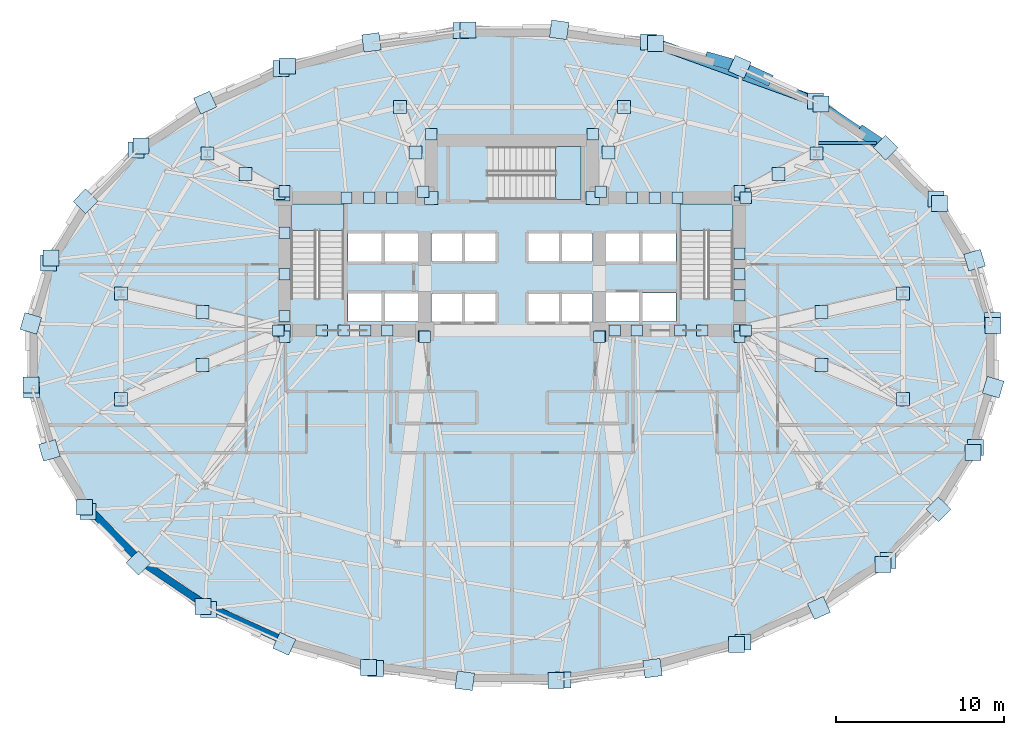
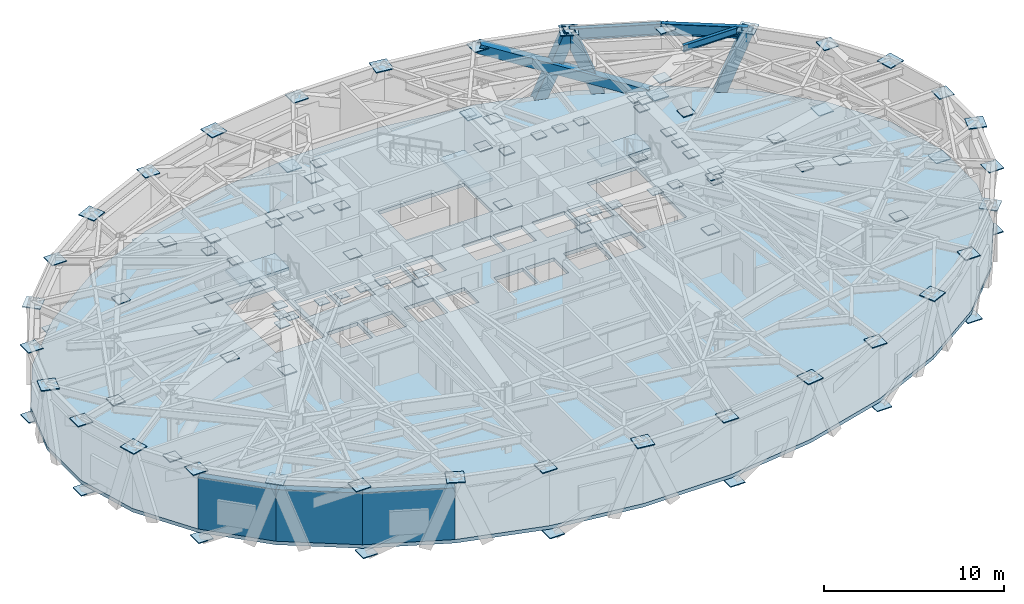
# One storey, part 6 of 14: 109 plates, 4 members, 4 slabs, 3 beams, 3 walls, 3 elements without a shape of their own.
"""IFC4 building model written with IfcOpenShell, lengths in metres."""

from ifc_helpers import new_model, si_unit, direction, frame, frame_2d, origin, origin_2d, place, context, subcontext, project, spatial, polyline, rectangle, hollow_rectangle, i_section, outline, extrude, material, layer, layer_set, material_profile, profile_set, type_object, element, aggregate, save


model = new_model("IFC4")

# Units and contexts
model_context = context("Model", 3, precision=1e-05, world=origin(), true_north=direction((0.0, 1.0)))
body_context = subcontext(model_context, "Body", "Model", "MODEL_VIEW")
ifc_project = project(units=[si_unit("LENGTHUNIT", "METRE"), si_unit("AREAUNIT", "SQUARE_METRE"), si_unit("VOLUMEUNIT", "CUBIC_METRE"), si_unit("PLANEANGLEUNIT", "RADIAN"), si_unit("MASSUNIT", "GRAM", prefix="KILO")], contexts=[model_context])

# Site, building, storey
site_placement = place(None, origin())
site = spatial("IfcSite", under=ifc_project, at=site_placement, CompositionType="ELEMENT")
building_placement = place(site_placement, origin())
building = spatial("IfcBuilding", under=site, at=building_placement, Name="Keldmark Tower", CompositionType="ELEMENT")
storey_placement = place(building_placement, frame((0.0, 0.0, 77.39990234375)))
storey = spatial("IfcBuildingStorey", under=building, at=storey_placement, Name="L20", CompositionType="ELEMENT", Elevation=77.39990234375)

# Member
ifc_material_1 = material(Name="Steel ASTM A572 Grade 50", Category="steel")
ifc_material_profile_1 = material_profile(ifc_material_1, hollow_rectangle(XDim=0.60009765625, YDim=0.60009765625, WallThickness=0.034912109375, at=origin_2d()), Name="BOX600X600X35")
ifc_profile_set_1 = profile_set([ifc_material_profile_1], Name="Steel ASTM A572 Grade 50")
member_type_1 = type_object("IfcMemberType", Name="Belt Truss Diagonal Brace BOX600", PredefinedType="BRACE", material=ifc_profile_set_1)
member_1_placement = place(storey_placement, frame((18.044677734375, 15.1123046875, -0.539794921875), z_axis=(-0.858472983552, 0.31040781208, 0.408253752845), x_axis=(-0.34003563135, -0.940412552773, 0.0)))
element("IfcMember", 1, at=member_1_placement, inside=storey, type_object=member_type_1, Name="L20 Perimeter Belt Truss Brace 03", PredefinedType="BRACE", context=body_context, shape_type="SweptSolid", body=[
    extrude(hollow_rectangle(XDim=0.60009765625, YDim=0.60009765625, WallThickness=0.034912109375, at=origin_2d()), origin(), (0.0, 0.0, 1.0), 11.071044921875),
])

# Beam
ifc_material_2 = material(Name="Steel ASTM A992 Grade 50", Category="steel")
ifc_material_profile_2 = material_profile(ifc_material_2, i_section(OverallWidth=0.19091796875, OverallDepth=0.45703125, WebThickness=0.009033203125, FlangeThickness=0.014404296875, at=origin_2d()), Name="W18X50")
ifc_profile_set_2 = profile_set([ifc_material_profile_2], Name="Steel ASTM A992 Grade 50")
beam_type_1 = type_object("IfcBeamType", Name="Composite Floor Joist W18X50", PredefinedType="JOIST", material=ifc_profile_set_2)
beam_1_placement = place(storey_placement, frame((18.228515625, 12.6201171875, 4.051513671875), z_axis=(1.0, 0.0, 0.0), x_axis=(0.0, 1.0, 0.0)))
element("IfcBeam", 2, at=beam_1_placement, inside=storey, type_object=beam_type_1, Name="L20 Composite Floor Joist J13", PredefinedType="JOIST", context=body_context, shape_type="SweptSolid", body=[
    extrude(i_section(OverallWidth=0.19091796875, OverallDepth=0.45703125, WebThickness=0.009033203125, FlangeThickness=0.014404296875, at=origin_2d()), origin(), (0.0, 0.0, 1.0), 3.43896484375),
])

# Members
ifc_material_3 = material(Name="Steel ASTM A572 Grade 50", Category="steel")
ifc_material_profile_3 = material_profile(ifc_material_3, hollow_rectangle(XDim=0.699951171875, YDim=0.699951171875, WallThickness=0.054931640625, at=origin_2d()), Name="BOX700X700X55")
ifc_profile_set_3 = profile_set([ifc_material_profile_3], Name="Steel ASTM A572 Grade 50")
member_type_2 = type_object("IfcMemberType", Name="Diagrid Zone 1 Brace BOX700X700X55", PredefinedType="BRACE", material=ifc_profile_set_3)
member_2_placement = place(storey_placement, frame((20.885498046875, 13.233642578125, -0.31982421875), z_axis=(0.279608553721, -0.189329512343, 0.941261596179), x_axis=(0.560680193358, 0.828032439446, 0.0)))
element("IfcMember", 3, at=member_2_placement, inside=storey, type_object=member_type_2, Name="L20 Perimeter Diagrid Brace 02B", PredefinedType="BRACE", context=body_context, shape_type="SweptSolid", body=[
    extrude(hollow_rectangle(XDim=0.699951171875, YDim=0.699951171875, WallThickness=0.054931640625, at=origin_2d()), origin(), (0.0, 0.0, 1.0), 4.759521484375),
])
member_3_placement = place(storey_placement, frame((15.102783203125, 16.443115234375, -0.31982421875), z_axis=(-0.32612174834, 0.147566401964, 0.933739129667), x_axis=(-0.412249348078, -0.911071059253, 0.0)))
element("IfcMember", 4, at=member_3_placement, inside=storey, type_object=member_type_2, Name="L20 Perimeter Diagrid Brace 03A", PredefinedType="BRACE", context=body_context, shape_type="SweptSolid", body=[
    extrude(hollow_rectangle(XDim=0.699951171875, YDim=0.699951171875, WallThickness=0.054931640625, at=origin_2d()), origin(), (0.0, 0.0, 1.0), 4.7978515625),
])
member_4_placement = place(storey_placement, frame((11.80908203125, 17.632080078125, -0.31982421875), z_axis=(0.359975574224, -0.100936706224, 0.927485507865), x_axis=(0.269985949358, 0.962864262058, 0.0)))
element("IfcMember", 5, at=member_4_placement, inside=storey, type_object=member_type_2, Name="L20 Perimeter Diagrid Brace 03B", PredefinedType="BRACE", context=body_context, shape_type="SweptSolid", body=[
    extrude(hollow_rectangle(XDim=0.699951171875, YDim=0.699951171875, WallThickness=0.054931640625, at=origin_2d()), origin(), (0.0, 0.0, 1.0), 4.830322265625),
])

# Beams
ifc_material_4 = material(Name="Steel ASTM A992 Grade 50", Category="steel")
ifc_material_profile_4 = material_profile(ifc_material_4, i_section(OverallWidth=0.26806640625, OverallDepth=0.77001953125, WebThickness=0.015625, FlangeThickness=0.025390625, at=origin_2d()), Name="W30X132")
ifc_profile_set_4 = profile_set([ifc_material_profile_4], Name="Steel ASTM A992 Grade 50")
beam_type_2 = type_object("IfcBeamType", Name="Spandrel Ring Beam W30X132", PredefinedType="SPANDREL", material=ifc_profile_set_4)
beam_2_placement = place(storey_placement, frame((22.2626953125, 12.37060546875, 3.89501953125), z_axis=(-0.82804003003, 0.560668983151, 0.0), x_axis=(-0.560668983151, -0.82804003003, 0.0)))
element("IfcBeam", 6, at=beam_2_placement, inside=storey, type_object=beam_type_2, Name="L20 Perimeter Spandrel Ring Beam SRB-04", PredefinedType="SPANDREL", context=body_context, shape_type="SweptSolid", body=[
    extrude(i_section(OverallWidth=0.26806640625, OverallDepth=0.77001953125, WebThickness=0.015625, FlangeThickness=0.025390625, at=origin_2d()), origin(), (0.0, 0.0, 1.0), 4.8212890625),
])
beam_3_placement = place(storey_placement, frame((18.2705078125, 15.07373046875, 3.89501953125), z_axis=(-0.911096907159, 0.412192219439, 0.0), x_axis=(-0.412192219439, -0.911096907159, 0.0)))
element("IfcBeam", 7, at=beam_3_placement, inside=storey, type_object=beam_type_2, Name="L20 Perimeter Spandrel Ring Beam SRB-05", PredefinedType="SPANDREL", context=body_context, shape_type="SweptSolid", body=[
    extrude(i_section(OverallWidth=0.26806640625, OverallDepth=0.77001953125, WebThickness=0.015625, FlangeThickness=0.025390625, at=origin_2d()), origin(), (0.0, 0.0, 1.0), 5.15234375),
])

# Plates
ifc_material_5 = material(Name="Steel ASTM A572 Grade 50", Category="steel")
ifc_layer_1 = layer(ifc_material_5, 0.06005859375)
ifc_layer_set_1 = layer_set([ifc_layer_1], Name="Steel ASTM A572 Grade 50")
plate_type_1 = type_object("IfcPlateType", Name="Belt Truss Kink Node Assembly KN01 60 mm", PredefinedType="USERDEFINED", material=ifc_layer_set_1)
for number, where, z_axis, x_axis, name in (
    (8, (28.5576171875, 2.055419921875, -0.56982421875), (0.0, 0.0, 1.0), (1.0, 0.0, 0.0), "L20 Belt Truss Kink Node 01A"),
    (9, (25.42822265625, 9.033447265625, 3.949951171875), (0.0, 0.0, 1.0), (1.0, 0.0, 0.0), "L20 Belt Truss Kink Node 01B"),
    (10, (25.220947265625, 9.291015625, -0.56982421875), (0.0, 0.0, 1.0), (1.0, 0.0, 0.0), "L20 Belt Truss Kink Node 02A"),
    (11, (18.3837890625, 14.927490234375, 3.949951171875), (0.0, 0.0, 1.0), (1.0, 0.0, 0.0), "L20 Belt Truss Kink Node 02B"),
    (12, (18.044677734375, 15.1123046875, -0.56982421875), (0.0, 0.0, 1.0), (1.0, 0.0, 0.0), "L20 Belt Truss Kink Node 03A"),
    (13, (8.54052734375, 18.548828125, 3.949951171875), (0.0, 0.0, 1.0), (1.0, 0.0, 0.0), "L20 Belt Truss Kink Node 03B"),
    (14, (8.121337890625, 18.6328125, -0.56982421875), (0.0, 0.0, 1.0), (1.0, 0.0, 0.0), "L20 Belt Truss Kink Node 04A"),
    (15, (-2.60302734375, 19.346435546875, 3.949951171875), (0.0, 0.0, 1.0), (1.0, 0.0, 0.0), "L20 Belt Truss Kink Node 04B"),
    (16, (-3.03857421875, 19.316650390625, -0.56982421875), (0.0, 0.0, 1.0), (1.0, 0.0, 0.0), "L20 Belt Truss Kink Node 05A"),
    (17, (-13.35009765625, 17.198486328125, 3.949951171875), (0.0, 0.0, 1.0), (1.0, 0.0, 0.0), "L20 Belt Truss Kink Node 05B"),
    (18, (-13.735595703125, 17.0595703125, -0.56982421875), (0.0, 0.0, 1.0), (1.0, 0.0, 0.0), "L20 Belt Truss Kink Node 06A"),
    (19, (-22.06494140625, 12.432373046875, 3.949951171875), (0.0, 0.0, 1.0), (1.0, 0.0, 0.0), "L20 Belt Truss Kink Node 06B"),
    (20, (-22.341796875, 12.20556640625, -0.56982421875), (0.0, 0.0, 1.0), (1.0, 0.0, 0.0), "L20 Belt Truss Kink Node 07A"),
    (21, (-27.420654296875, 5.773681640625, 3.949951171875), (0.0, 0.0, 1.0), (1.0, 0.0, 0.0), "L20 Belt Truss Kink Node 07B"),
    (22, (-27.546630859375, 5.4931640625, -0.56982421875), (0.0, 0.0, 1.0), (1.0, 0.0, 0.0), "L20 Belt Truss Kink Node 08A"),
    (23, (-28.6015625, -1.764404296875, 3.949951171875), (0.0, 0.0, 1.0), (1.0, 0.0, 0.0), "L20 Belt Truss Kink Node 08B"),
    (24, (-28.5576171875, -2.055419921875, -0.56982421875), (0.0, 0.0, 1.0), (1.0, 0.0, 0.0), "L20 Belt Truss Kink Node 09A"),
    (25, (-25.42822265625, -9.033447265625, 3.949951171875), (0.0, 0.0, 1.0), (1.0, 0.0, 0.0), "L20 Belt Truss Kink Node 09B"),
    (26, (-25.220947265625, -9.291015625, -0.56982421875), (0.0, 0.0, 1.0), (1.0, 0.0, 0.0), "L20 Belt Truss Kink Node 10A"),
    (27, (-18.3837890625, -14.927490234375, 3.949951171875), (0.0, 0.0, 1.0), (1.0, 0.0, 0.0), "L20 Belt Truss Kink Node 10B"),
    (28, (-18.044677734375, -15.1123046875, -0.56982421875), (0.0, 0.0, 1.0), (1.0, 0.0, 0.0), "L20 Belt Truss Kink Node 11A"),
    (29, (-8.54052734375, -18.548828125, 3.949951171875), (0.0, 0.0, 1.0), (1.0, 0.0, 0.0), "L20 Belt Truss Kink Node 11B"),
    (30, (-8.121337890625, -18.6328125, -0.56982421875), (0.0, 0.0, 1.0), (1.0, 0.0, 0.0), "L20 Belt Truss Kink Node 12A"),
    (31, (2.60302734375, -19.346435546875, 3.949951171875), (0.0, 0.0, 1.0), (1.0, 0.0, 0.0), "L20 Belt Truss Kink Node 12B"),
    (32, (3.03857421875, -19.316650390625, -0.56982421875), (0.0, 0.0, 1.0), (1.0, 0.0, 0.0), "L20 Belt Truss Kink Node 13A"),
    (33, (13.35009765625, -17.198486328125, 3.949951171875), (0.0, 0.0, 1.0), (1.0, 0.0, 0.0), "L20 Belt Truss Kink Node 13B"),
    (34, (13.735595703125, -17.0595703125, -0.56982421875), (0.0, 0.0, 1.0), (1.0, 0.0, 0.0), "L20 Belt Truss Kink Node 14A"),
    (35, (22.06494140625, -12.432373046875, 3.949951171875), (0.0, 0.0, 1.0), (1.0, 0.0, 0.0), "L20 Belt Truss Kink Node 14B"),
    (36, (22.341796875, -12.20556640625, -0.56982421875), (0.0, 0.0, 1.0), (1.0, 0.0, 0.0), "L20 Belt Truss Kink Node 15A"),
    (37, (27.420654296875, -5.773681640625, 3.949951171875), (0.0, 0.0, 1.0), (1.0, 0.0, 0.0), "L20 Belt Truss Kink Node 15B"),
    (38, (27.546630859375, -5.4931640625, -0.56982421875), (0.0, 0.0, 1.0), (1.0, 0.0, 0.0), "L20 Belt Truss Kink Node 16A"),
    (39, (28.6015625, 1.764404296875, 3.949951171875), (0.0, 0.0, 1.0), (1.0, 0.0, 0.0), "L20 Belt Truss Kink Node 16B"),
):
    element("IfcPlate", number, at=place(storey_placement, frame(where, z_axis=z_axis, x_axis=x_axis)), inside=storey, type_object=plate_type_1, Name=name, ObjectType="CAP PLATE", PredefinedType="USERDEFINED", context=body_context, shape_type="SweptSolid", body=[
        extrude(rectangle(XDim=0.949951171875, YDim=0.949951171875, at=origin_2d()), origin(), (0.0, 0.0, 1.0), 0.06005859375),
    ])
for number, where, z_axis, x_axis, name in (
    (40, (-13.550048828125, 1.449951171875, 0.1201171875), (0.0, 0.0, 1.0), (1.0, 0.0, 0.0), "L20 Outrigger Node Cap 01A0"),
    (41, (-18.402099609375, 2.563720703125, 3.949951171875), (0.0, 0.0, 1.0), (1.0, 0.0, 0.0), "L20 Outrigger Node Cap 01A1"),
    (42, (-23.25390625, 3.67724609375, 0.1201171875), (0.0, 0.0, 1.0), (1.0, 0.0, 0.0), "L20 Outrigger Node Cap 01B0"),
    (43, (-18.402099609375, -0.58154296875, 3.949951171875), (0.0, 0.0, 1.0), (1.0, 0.0, 0.0), "L20 Outrigger Node Cap 02A1"),
    (44, (-23.25390625, -2.61328125, 0.1201171875), (0.0, 0.0, 1.0), (1.0, 0.0, 0.0), "L20 Outrigger Node Cap 02B0"),
    (45, (-13.60009765625, 9.550048828125, 0.1201171875), (0.0, 0.0, 1.0), (1.0, 0.0, 0.0), "L20 Outrigger Node Cap 03A0"),
    (46, (-15.848876953125, 10.77880859375, 3.949951171875), (0.0, 0.0, 1.0), (1.0, 0.0, 0.0), "L20 Outrigger Node Cap 03A1"),
    (47, (-18.09765625, 12.00732421875, 0.1201171875), (0.0, 0.0, 1.0), (1.0, 0.0, 0.0), "L20 Outrigger Node Cap 03B0"),
    (48, (-4.800048828125, 9.35009765625, 0.1201171875), (0.0, 0.0, 1.0), (1.0, 0.0, 0.0), "L20 Outrigger Node Cap 04A0"),
    (49, (-5.732421875, 12.054931640625, 3.949951171875), (0.0, 0.0, 1.0), (1.0, 0.0, 0.0), "L20 Outrigger Node Cap 04A1"),
    (50, (-6.6650390625, 14.760009765625, 0.1201171875), (0.0, 0.0, 1.0), (1.0, 0.0, 0.0), "L20 Outrigger Node Cap 04B0"),
    (51, (13.550048828125, 1.449951171875, 0.1201171875), (0.0, 0.0, 1.0), (1.0, 0.0, 0.0), "L20 Outrigger Node Cap 05A0"),
    (52, (18.402099609375, 2.563720703125, 3.949951171875), (0.0, 0.0, 1.0), (1.0, 0.0, 0.0), "L20 Outrigger Node Cap 05A1"),
    (53, (23.25390625, 3.67724609375, 0.1201171875), (0.0, 0.0, 1.0), (1.0, 0.0, 0.0), "L20 Outrigger Node Cap 05B0"),
    (54, (18.402099609375, -0.58154296875, 3.949951171875), (0.0, 0.0, 1.0), (1.0, 0.0, 0.0), "L20 Outrigger Node Cap 06A1"),
    (55, (23.25390625, -2.61328125, 0.1201171875), (0.0, 0.0, 1.0), (1.0, 0.0, 0.0), "L20 Outrigger Node Cap 06B0"),
    (56, (13.60009765625, 9.550048828125, 0.1201171875), (0.0, 0.0, 1.0), (1.0, 0.0, 0.0), "L20 Outrigger Node Cap 07A0"),
    (57, (15.848876953125, 10.77880859375, 3.949951171875), (0.0, 0.0, 1.0), (1.0, 0.0, 0.0), "L20 Outrigger Node Cap 07A1"),
    (58, (18.09765625, 12.00732421875, 0.1201171875), (0.0, 0.0, 1.0), (1.0, 0.0, 0.0), "L20 Outrigger Node Cap 07B0"),
    (59, (4.800048828125, 9.35009765625, 0.1201171875), (0.0, 0.0, 1.0), (1.0, 0.0, 0.0), "L20 Outrigger Node Cap 08A0"),
    (60, (5.732421875, 12.054931640625, 3.949951171875), (0.0, 0.0, 1.0), (1.0, 0.0, 0.0), "L20 Outrigger Node Cap 08A1"),
    (61, (6.6650390625, 14.760009765625, 0.1201171875), (0.0, 0.0, 1.0), (1.0, 0.0, 0.0), "L20 Outrigger Node Cap 08B0"),
):
    element("IfcPlate", number, at=place(storey_placement, frame(where, z_axis=z_axis, x_axis=x_axis)), inside=storey, type_object=plate_type_1, Name=name, ObjectType="CAP PLATE", PredefinedType="USERDEFINED", context=body_context, shape_type="SweptSolid", body=[
        extrude(rectangle(XDim=0.780029296875, YDim=0.780029296875, at=origin_2d()), origin(), (0.0, 0.0, 1.0), 0.06005859375),
    ])
for number, where, z_axis, x_axis, name in (
    (62, (13.87255859375, 1.46435546875, 3.3525390625), (0.0, 0.0, 1.0), (1.0, 0.0, 0.0), "L20 Core Wall Cast-In Embed Plate 518"),
    (63, (13.843505859375, 9.58837890625, 3.3525390625), (0.0, 0.0, 1.0), (1.0, 0.0, 0.0), "L20 Core Wall Cast-In Embed Plate 519"),
    (64, (5.2744140625, 9.719970703125, 3.3525390625), (0.0, 0.0, 1.0), (1.0, 0.0, 0.0), "L20 Core Wall Cast-In Embed Plate 520"),
    (65, (-5.2744140625, 9.719970703125, 3.3525390625), (0.0, 0.0, 1.0), (1.0, 0.0, 0.0), "L20 Core Wall Cast-In Embed Plate 521"),
    (66, (-13.843505859375, 9.58837890625, 3.3525390625), (0.0, 0.0, 1.0), (1.0, 0.0, 0.0), "L20 Core Wall Cast-In Embed Plate 522"),
    (67, (-13.87255859375, 1.46435546875, 3.3525390625), (0.0, 0.0, 1.0), (1.0, 0.0, 0.0), "L20 Core Wall Cast-In Embed Plate 523"),
    (68, (-5.235595703125, 1.122314453125, 3.3525390625), (0.0, 0.0, 1.0), (1.0, 0.0, 0.0), "L20 Core Wall Cast-In Embed Plate 524"),
    (69, (5.235595703125, 1.122314453125, 3.3525390625), (0.0, 0.0, 1.0), (1.0, 0.0, 0.0), "L20 Core Wall Cast-In Embed Plate 525"),
    (70, (13.52490234375, 9.75, 3.984375), (0.0, 0.0, 1.0), (1.0, 0.0, 0.0), "L20 Core Wall Cast-In Embed Plate 526"),
    (71, (9.83935546875, 9.375, 3.984375), (0.0, 0.0, 1.0), (1.0, 0.0, 0.0), "L20 Core Wall Cast-In Embed Plate 527"),
    (72, (7.132080078125, 9.375, 3.984375), (0.0, 0.0, 1.0), (1.0, 0.0, 0.0), "L20 Core Wall Cast-In Embed Plate 528"),
    (73, (-7.132080078125, 9.375, 3.984375), (0.0, 0.0, 1.0), (1.0, 0.0, 0.0), "L20 Core Wall Cast-In Embed Plate 529"),
    (74, (-9.83935546875, 9.375, 3.984375), (0.0, 0.0, 1.0), (1.0, 0.0, 0.0), "L20 Core Wall Cast-In Embed Plate 530"),
    (75, (-13.52490234375, 9.75, 3.984375), (0.0, 0.0, 1.0), (1.0, 0.0, 0.0), "L20 Core Wall Cast-In Embed Plate 531"),
    (76, (-5.199951171875, 1.10009765625, 3.984375), (0.0, 0.0, 1.0), (1.0, 0.0, 0.0), "L20 Core Wall Cast-In Embed Plate 532"),
    (77, (5.199951171875, 1.10009765625, 3.984375), (0.0, 0.0, 1.0), (1.0, 0.0, 0.0), "L20 Core Wall Cast-In Embed Plate 533"),
    (78, (13.89990234375, 9.375, 3.984375), (0.0, 0.0, 1.0), (1.0, 0.0, 0.0), "L20 Core Wall Cast-In Embed Plate 534"),
    (79, (-10.0107421875, 1.47509765625, 3.984375), (0.0, 0.0, 1.0), (1.0, 0.0, 0.0), "L20 Core Wall Cast-In Embed Plate 535"),
    (80, (13.52490234375, 1.10009765625, 3.984375), (0.0, 0.0, 1.0), (1.0, 0.0, 0.0), "L20 Core Wall Cast-In Embed Plate 536"),
    (81, (13.52490234375, 6.04296875, 3.984375), (0.0, 0.0, 1.0), (1.0, 0.0, 0.0), "L20 Core Wall Cast-In Embed Plate 537"),
    (82, (13.89990234375, 1.47509765625, 3.984375), (0.0, 0.0, 1.0), (1.0, 0.0, 0.0), "L20 Core Wall Cast-In Embed Plate 538"),
    (83, (13.52490234375, 4.80712890625, 3.984375), (0.0, 0.0, 1.0), (1.0, 0.0, 0.0), "L20 Core Wall Cast-In Embed Plate 539"),
    (84, (4.800048828125, 13.14990234375, 3.984375), (0.0, 0.0, 1.0), (1.0, 0.0, 0.0), "L20 Core Wall Cast-In Embed Plate 540"),
    (85, (8.485595703125, 9.375, 3.984375), (0.0, 0.0, 1.0), (1.0, 0.0, 0.0), "L20 Core Wall Cast-In Embed Plate 541"),
    (86, (-8.485595703125, 9.375, 3.984375), (0.0, 0.0, 1.0), (1.0, 0.0, 0.0), "L20 Core Wall Cast-In Embed Plate 542"),
    (87, (-4.800048828125, 13.14990234375, 3.984375), (0.0, 0.0, 1.0), (1.0, 0.0, 0.0), "L20 Core Wall Cast-In Embed Plate 543"),
    (88, (-13.52490234375, 7.278564453125, 3.984375), (0.0, 0.0, 1.0), (1.0, 0.0, 0.0), "L20 Core Wall Cast-In Embed Plate 544"),
    (89, (-13.52490234375, 4.80712890625, 3.984375), (0.0, 0.0, 1.0), (1.0, 0.0, 0.0), "L20 Core Wall Cast-In Embed Plate 545"),
    (90, (-13.89990234375, 1.47509765625, 3.984375), (0.0, 0.0, 1.0), (1.0, 0.0, 0.0), "L20 Core Wall Cast-In Embed Plate 546"),
    (91, (-13.52490234375, 2.335693359375, 3.984375), (0.0, 0.0, 1.0), (1.0, 0.0, 0.0), "L20 Core Wall Cast-In Embed Plate 547"),
    (92, (-11.30712890625, 1.47509765625, 3.984375), (0.0, 0.0, 1.0), (1.0, 0.0, 0.0), "L20 Core Wall Cast-In Embed Plate 548"),
    (93, (-13.52490234375, 1.10009765625, 3.984375), (0.0, 0.0, 1.0), (1.0, 0.0, 0.0), "L20 Core Wall Cast-In Embed Plate 549"),
    (94, (-7.41796875, 1.47509765625, 3.984375), (0.0, 0.0, 1.0), (1.0, 0.0, 0.0), "L20 Core Wall Cast-In Embed Plate 550"),
    (95, (-8.71435546875, 1.47509765625, 3.984375), (0.0, 0.0, 1.0), (1.0, 0.0, 0.0), "L20 Core Wall Cast-In Embed Plate 551"),
    (96, (10.0107421875, 1.47509765625, 3.984375), (0.0, 0.0, 1.0), (1.0, 0.0, 0.0), "L20 Core Wall Cast-In Embed Plate 552"),
    (97, (6.121337890625, 1.47509765625, 3.984375), (0.0, 0.0, 1.0), (1.0, 0.0, 0.0), "L20 Core Wall Cast-In Embed Plate 553"),
    (98, (7.41796875, 1.47509765625, 3.984375), (0.0, 0.0, 1.0), (1.0, 0.0, 0.0), "L20 Core Wall Cast-In Embed Plate 554"),
    (99, (11.30712890625, 1.47509765625, 3.984375), (0.0, 0.0, 1.0), (1.0, 0.0, 0.0), "L20 Core Wall Cast-In Embed Plate 555"),
    (100, (13.52490234375, 3.5712890625, 3.984375), (0.0, 0.0, 1.0), (1.0, 0.0, 0.0), "L20 Core Wall Cast-In Embed Plate 556"),
):
    element("IfcPlate", number, at=place(storey_placement, frame(where, z_axis=z_axis, x_axis=x_axis)), inside=storey, type_object=plate_type_1, Name=name, ObjectType="CAP PLATE", PredefinedType="USERDEFINED", context=body_context, shape_type="SweptSolid", body=[
        extrude(rectangle(XDim=0.679931640625, YDim=0.679931640625, at=origin_2d()), origin(), (0.0, 0.0, 1.0), 0.054931640625),
    ])
ifc_material_6 = material(Name="Steel ASTM A572 Grade 50", Category="steel")
ifc_layer_2 = layer(ifc_material_6, 0.06494140625)
ifc_layer_set_2 = layer_set([ifc_layer_2], Name="Steel ASTM A572 Grade 50")
plate_type_2 = type_object("IfcPlateType", Name="Diagrid Node Assembly DN02 65 mm", PredefinedType="USERDEFINED", material=ifc_layer_set_2)
for number, where, z_axis, x_axis, name in (
    (101, (27.500244140625, 5.65478515625, 4.127685546875), (0.0, 0.0, 1.0), (-0.281839122541, 0.959461676674, 0.0), "L20 Diagrid Node Assembly 01"),
    (102, (22.209716796875, 12.34228515625, 4.127685546875), (0.0, 0.0, 1.0), (-0.70240155419, 0.711780904964, 0.0), "L20 Diagrid Node Assembly 03"),
    (103, (13.5380859375, 17.151123046875, 4.127685546875), (0.0, 0.0, 1.0), (-0.911115763336, 0.41215053779, 0.0), "L20 Diagrid Node Assembly 05"),
    (104, (2.805419921875, 19.3486328125, 4.127685546875), (0.0, 0.0, 1.0), (-0.991053218872, 0.133467289485, 0.0), "L20 Diagrid Node Assembly 07"),
    (105, (-8.354248046875, 18.6005859375, 4.127685546875), (0.0, 0.0, 1.0), (-0.991053218872, -0.133467289485, 0.0), "L20 Diagrid Node Assembly 09"),
    (106, (-18.2421875, 15.020751953125, 4.127685546875), (0.0, 0.0, 1.0), (-0.911115763336, -0.41215053779, 0.0), "L20 Diagrid Node Assembly 11"),
    (107, (-25.352783203125, 9.154052734375, 4.127685546875), (0.0, 0.0, 1.0), (-0.70240155419, -0.711780904964, 0.0), "L20 Diagrid Node Assembly 13"),
    (108, (-28.60400390625, 1.893798828125, 4.127685546875), (0.0, 0.0, 1.0), (-0.281839122541, -0.959461676674, 0.0), "L20 Diagrid Node Assembly 15"),
    (109, (-27.500244140625, -5.65478515625, 4.127685546875), (0.0, 0.0, 1.0), (0.281839122541, -0.959461676674, 0.0), "L20 Diagrid Node Assembly 17"),
    (110, (-22.209716796875, -12.34228515625, 4.127685546875), (0.0, 0.0, 1.0), (0.70240155419, -0.711780904964, 0.0), "L20 Diagrid Node Assembly 19"),
    (111, (-13.5380859375, -17.151123046875, 4.127685546875), (0.0, 0.0, 1.0), (0.911115763336, -0.41215053779, 0.0), "L20 Diagrid Node Assembly 21"),
    (112, (-2.805419921875, -19.3486328125, 4.127685546875), (0.0, 0.0, 1.0), (0.991053218872, -0.133467289485, 0.0), "L20 Diagrid Node Assembly 23"),
    (113, (8.354248046875, -18.6005859375, 4.127685546875), (0.0, 0.0, 1.0), (0.991053218872, 0.133467289485, 0.0), "L20 Diagrid Node Assembly 25"),
    (114, (18.2421875, -15.020751953125, 4.127685546875), (0.0, 0.0, 1.0), (0.911115763336, 0.41215053779, 0.0), "L20 Diagrid Node Assembly 27"),
    (115, (25.352783203125, -9.154052734375, 4.127685546875), (0.0, 0.0, 1.0), (0.70240155419, 0.711780904964, 0.0), "L20 Diagrid Node Assembly 29"),
    (116, (28.60400390625, -1.893798828125, 4.127685546875), (0.0, 0.0, 1.0), (0.281839122541, 0.959461676674, 0.0), "L20 Diagrid Node Assembly 31"),
):
    element("IfcPlate", number, at=place(storey_placement, frame(where, z_axis=z_axis, x_axis=x_axis)), inside=storey, type_object=plate_type_2, Name=name, ObjectType="GUSSET", PredefinedType="USERDEFINED", context=body_context, shape_type="SweptSolid", body=[
        extrude(rectangle(XDim=1.0400390625, YDim=1.0400390625, at=origin_2d()), origin(), (0.0, 0.0, 1.0), 0.06494140625),
    ])

# Slab
ifc_material_7 = material(Name="Concrete C35/45", Category="concrete")
ifc_layer_3 = layer(ifc_material_7, 0.239990234375)
ifc_layer_set_3 = layer_set([ifc_layer_3], Name="Concrete C35/45")
slab_type_1 = type_object("IfcSlabType", Name="Mechanical Diaphragm Slab 240 mm", PredefinedType="FLOOR", material=ifc_layer_set_3)
slab_1_placement = place(storey_placement, frame((0.0, 0.0, -0.239990234375)))
element("IfcSlab", 117, at=slab_1_placement, inside=storey, type_object=slab_type_1, Name="L20 Composite Structural Floor Slab", PredefinedType="FLOOR", context=body_context, shape_type="SweptSolid", body=[
    extrude(outline(polyline([(28.661376953125, 1.911376953125), (27.559814453125, 5.66064453125), (25.3994140625, 9.192138671875), (22.2626953125, 12.37060546875), (18.2705078125, 15.07373046875), (13.576171875, 17.197509765625), (8.360107421875, 18.660400390625), (2.822998046875, 19.406005859375), (-2.822998046875, 19.406005859375), (-8.360107421875, 18.660400390625), (-13.576171875, 17.197509765625), (-18.2705078125, 15.07373046875), (-22.2626953125, 12.37060546875), (-25.3994140625, 9.192138671875), (-27.559814453125, 5.66064453125), (-28.661376953125, 1.911376953125), (-28.661376953125, -1.911376953125), (-27.559814453125, -5.66064453125), (-25.3994140625, -9.192138671875), (-22.2626953125, -12.37060546875), (-18.2705078125, -15.07373046875), (-13.576171875, -17.197509765625), (-8.360107421875, -18.660400390625), (-2.822998046875, -19.406005859375), (2.822998046875, -19.406005859375), (8.360107421875, -18.660400390625), (13.576171875, -17.197509765625), (18.2705078125, -15.07373046875), (22.2626953125, -12.37060546875), (25.3994140625, -9.192138671875), (27.559814453125, -5.66064453125), (28.661376953125, -1.911376953125), (28.661376953125, 1.911376953125)]), holes=[polyline([(-10.0, 3.385009765625), (-10.0, 9.0), (-13.14990234375, 9.0), (-13.14990234375, 3.385009765625), (-10.0, 3.385009765625)]), polyline([(13.14990234375, 3.385009765625), (13.14990234375, 9.0), (10.0, 9.0), (10.0, 3.385009765625), (13.14990234375, 3.385009765625)]), polyline([(-1.43994140625, 9.25), (4.10498046875, 9.25), (4.10498046875, 12.39990234375), (-1.43994140625, 12.39990234375), (-1.43994140625, 9.25)]), polyline([(-9.75, 2.0), (-7.75, 2.0), (-7.75, 3.699951171875), (-9.75, 3.699951171875), (-9.75, 2.0)]), polyline([(7.75, 2.0), (9.75, 2.0), (9.75, 3.699951171875), (7.75, 3.699951171875), (7.75, 2.0)]), polyline([(5.449951171875, 2.0), (7.550048828125, 2.0), (7.550048828125, 3.75), (5.449951171875, 3.75), (5.449951171875, 2.0)]), polyline([(-4.800048828125, 2.0), (-2.949951171875, 2.0), (-2.949951171875, 3.64990234375), (-4.800048828125, 3.64990234375), (-4.800048828125, 2.0)]), polyline([(-2.800048828125, 2.0), (-0.949951171875, 2.0), (-0.949951171875, 3.64990234375), (-2.800048828125, 3.64990234375), (-2.800048828125, 2.0)]), polyline([(0.949951171875, 2.0), (2.800048828125, 2.0), (2.800048828125, 3.64990234375), (0.949951171875, 3.64990234375), (0.949951171875, 2.0)]), polyline([(2.949951171875, 2.0), (4.800048828125, 2.0), (4.800048828125, 3.64990234375), (2.949951171875, 3.64990234375), (2.949951171875, 2.0)]), polyline([(-4.800048828125, 5.60009765625), (-2.949951171875, 5.60009765625), (-2.949951171875, 7.25), (-4.800048828125, 7.25), (-4.800048828125, 5.60009765625)]), polyline([(-2.800048828125, 5.60009765625), (-0.949951171875, 5.60009765625), (-0.949951171875, 7.25), (-2.800048828125, 7.25), (-2.800048828125, 5.60009765625)]), polyline([(0.949951171875, 5.60009765625), (2.800048828125, 5.60009765625), (2.800048828125, 7.25), (0.949951171875, 7.25), (0.949951171875, 5.60009765625)]), polyline([(2.949951171875, 5.60009765625), (4.800048828125, 5.60009765625), (4.800048828125, 7.25), (2.949951171875, 7.25), (2.949951171875, 5.60009765625)]), polyline([(-9.75, 5.550048828125), (-7.75, 5.550048828125), (-7.75, 7.25), (-9.75, 7.25), (-9.75, 5.550048828125)]), polyline([(-7.550048828125, 5.550048828125), (-5.550048828125, 5.550048828125), (-5.550048828125, 7.25), (-7.550048828125, 7.25), (-7.550048828125, 5.550048828125)]), polyline([(-7.550048828125, 2.0), (-5.550048828125, 2.0), (-5.550048828125, 3.699951171875), (-7.550048828125, 3.699951171875), (-7.550048828125, 2.0)]), polyline([(5.449951171875, 5.550048828125), (7.550048828125, 5.550048828125), (7.550048828125, 7.25), (5.449951171875, 7.25), (5.449951171875, 5.550048828125)]), polyline([(7.75, 5.550048828125), (9.75, 5.550048828125), (9.75, 7.25), (7.75, 7.25), (7.75, 5.550048828125)])]), origin(), (0.0, 0.0, 1.0), 0.239990234375),
])

# Stair, slab
ifc_material_8 = material(Name="Concrete C40/50", Category="concrete")
stair_type = type_object("IfcStairType", Name="Precast Concrete Core Exit Stair", PredefinedType="HALF_TURN_STAIR", material=ifc_material_8)
stair_1_placement = place(storey_placement, origin())
stair_1 = element("IfcStair", 118, at=stair_1_placement, inside=storey, type_object=stair_type, Name="L20 Exit Stair ST1", PredefinedType="HALF_TURN_STAIR")
ifc_material_9 = material(Name="Concrete C40/50", Category="concrete")
ifc_layer_4 = layer(ifc_material_9, 0.199951171875)
ifc_layer_set_4 = layer_set([ifc_layer_4], Name="Concrete C40/50")
slab_type_2 = type_object("IfcSlabType", Name="Reinforced Concrete Stair Landing 200 mm", PredefinedType="LANDING", material=ifc_layer_set_4)
slab_2_placement = place(storey_placement, frame((0.0, 0.0, 2.050048828125)))
slab_2 = element("IfcSlab", 119, at=slab_2_placement, type_object=slab_type_2, Name="ST1 landing 1", PredefinedType="LANDING", context=body_context, shape_type="SweptSolid", body=[
    extrude(outline(polyline([(-10.0, 7.409912109375), (-10.0, 9.0), (-13.14990234375, 9.0), (-13.14990234375, 7.409912109375), (-10.0, 7.409912109375)])), origin(), (0.0, 0.0, 1.0), 0.199951171875),
])
aggregate(stair_1, [slab_2])

stair_2_placement = place(storey_placement, origin())
stair_2 = element("IfcStair", 120, at=stair_2_placement, inside=storey, type_object=stair_type, Name="L20 Exit Stair ST2", PredefinedType="HALF_TURN_STAIR")
slab_3_placement = place(storey_placement, frame((0.0, 0.0, 2.050048828125)))
slab_3 = element("IfcSlab", 121, at=slab_3_placement, type_object=slab_type_2, Name="ST2 landing 1", PredefinedType="LANDING", context=body_context, shape_type="SweptSolid", body=[
    extrude(outline(polyline([(13.14990234375, 7.409912109375), (13.14990234375, 9.0), (10.0, 9.0), (10.0, 7.409912109375), (13.14990234375, 7.409912109375)])), origin(), (0.0, 0.0, 1.0), 0.199951171875),
])
aggregate(stair_2, [slab_3])

stair_3_placement = place(storey_placement, origin())
stair_3 = element("IfcStair", 122, at=stair_3_placement, inside=storey, type_object=stair_type, Name="L20 Exit Stair ST3", PredefinedType="HALF_TURN_STAIR")
slab_4_placement = place(storey_placement, frame((0.0, 0.0, 2.050048828125)))
slab_4 = element("IfcSlab", 123, at=slab_4_placement, type_object=slab_type_2, Name="ST3 landing 1", PredefinedType="LANDING", context=body_context, shape_type="SweptSolid", body=[
    extrude(outline(polyline([(2.5849609375, 9.25), (4.10498046875, 9.25), (4.10498046875, 12.39990234375), (2.5849609375, 12.39990234375), (2.5849609375, 9.25)])), origin(), (0.0, 0.0, 1.0), 0.199951171875),
])
aggregate(stair_3, [slab_4])

# Walls
ifc_material_10 = material(Name="Ironspot Manganese Brick and Kasota Buff Limestone Spandrel Assembly", Category="masonry")
ifc_layer_5 = layer(ifc_material_10, 0.43994140625)
ifc_layer_set_5 = layer_set([ifc_layer_5], Name="Ironspot Manganese Brick and Kasota Buff Limestone Spandrel Assembly")
wall_type = type_object("IfcWallType", Name="Tower Brick Pier and Spandrel Wall 440 mm", PredefinedType="STANDARD", material=ifc_layer_set_5)
wall_1_placement = place(storey_placement, frame((-22.106201171875, -12.21630859375, 0.0), z_axis=(0.0, 0.0, 1.0), x_axis=(-0.702361901729, 0.711820032733, 0.0)))
element("IfcWall", 124, at=wall_1_placement, inside=storey, type_object=wall_type, Name="L20 Exterior Brick and Spandrel Wall 19", PredefinedType="STANDARD", context=body_context, shape_type="SweptSolid", body=[
    extrude(rectangle(XDim=4.465576171875, YDim=0.43994140625, at=frame_2d((2.23291015625, 0.0))), origin(), (0.0, 0.0, 1.0), 3.498046875),
])
wall_2_placement = place(storey_placement, frame((-18.147216796875, -14.8916015625, 0.0), z_axis=(0.0, 0.0, 1.0), x_axis=(-0.82804003003, 0.560668983151, 0.0)))
element("IfcWall", 125, at=wall_2_placement, inside=storey, type_object=wall_type, Name="L20 Exterior Brick and Spandrel Wall 20", PredefinedType="STANDARD", context=body_context, shape_type="SweptSolid", body=[
    extrude(rectangle(XDim=4.8212890625, YDim=0.43994140625, at=frame_2d((2.41064453125, 0.0))), origin(), (0.0, 0.0, 1.0), 3.498046875),
])
wall_3_placement = place(storey_placement, frame((-13.485595703125, -16.9970703125, 0.0), z_axis=(0.0, 0.0, 1.0), x_axis=(-0.911088856004, 0.412210014999, 0.0)))
element("IfcWall", 126, at=wall_3_placement, inside=storey, type_object=wall_type, Name="L20 Exterior Brick and Spandrel Wall 21", PredefinedType="STANDARD", context=body_context, shape_type="SweptSolid", body=[
    extrude(rectangle(XDim=5.152099609375, YDim=0.43994140625, at=frame_2d((2.576171875, 0.0))), origin(), (0.0, 0.0, 1.0), 3.498046875),
])

save(model, "model.ifc")
